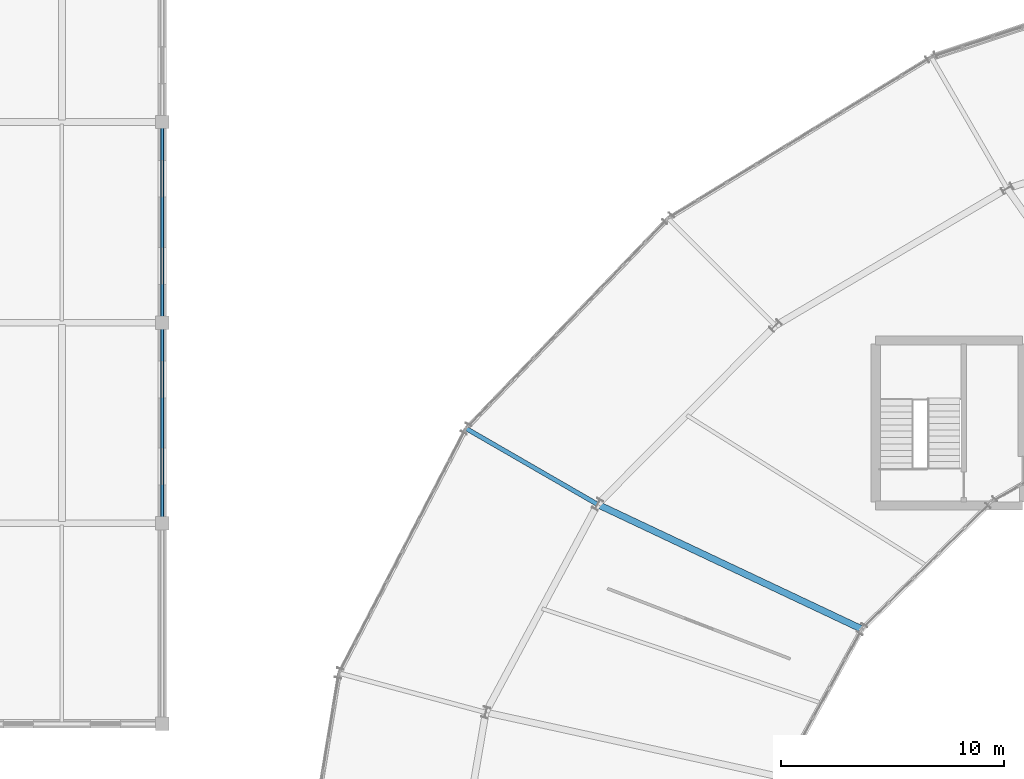
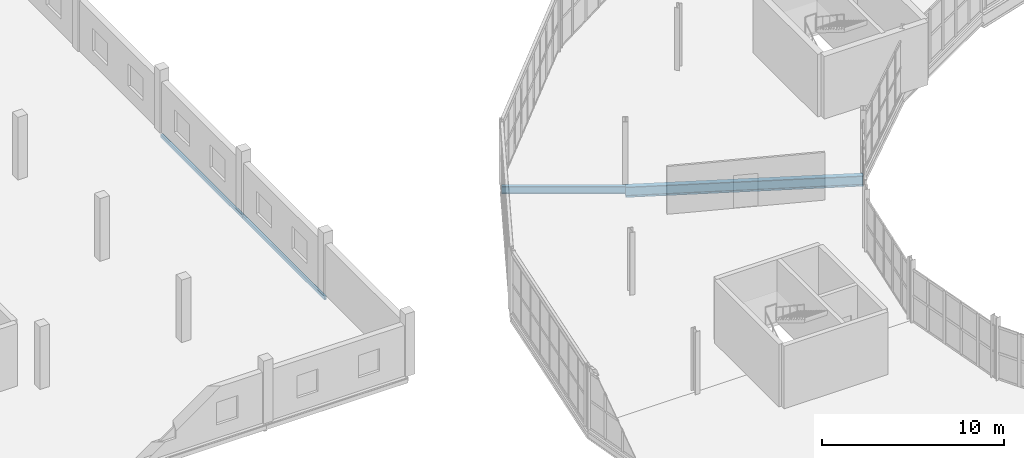
# One storey, part 58 of 161: 4 beams.
"""IFC4 building model written with IfcOpenShell, lengths in metres."""

import ifcopenshell
import ifcopenshell.guid

model = None  # the IFC model being written
_history = None  # IfcOwnerHistory: only IFC2X3 demands one
_inside = {}  # id of a spatial element -> (the spatial element, [elements in it])
_under = {}  # id of a project, library or spatial element -> (it, [spatial elements below it])
_declared = {}  # id of a project -> (the project, [libraries it declares])
_typed = {}  # id of a type object -> (the type object, [elements of that type])
_made_of = {}  # id of a material, layer set ... -> (it, [elements and type objects made of it])


def new_model(schema):
    """Start an empty IFC model of exactly this schema.

    Asked for "IFC4X3", IfcOpenShell would pick the latest addendum, in which some entities
    have other attributes; the version numbers below select the first issue.
    IFC2X3 requires an IfcOwnerHistory on every rooted entity: one is made here for all.
    """
    global model, _history
    if schema == "IFC4X3":
        model = ifcopenshell.file(schema_version=(4, 3, 0, 0))
    else:
        model = ifcopenshell.file(schema=schema)
    _inside.clear()
    _under.clear()
    _declared.clear()
    _typed.clear()
    _made_of.clear()
    _history = None
    if model.schema == "IFC2X3":
        org = make("IfcOrganization", Name="unknown")
        user = make(
            "IfcPersonAndOrganization",
            ThePerson=make("IfcPerson", FamilyName="unknown"),
            TheOrganization=org,
        )
        app = make(
            "IfcApplication",
            ApplicationDeveloper=org,
            Version="unknown",
            ApplicationFullName="unknown",
            ApplicationIdentifier="unknown",
        )
        _history = make(
            "IfcOwnerHistory",
            OwningUser=user,
            OwningApplication=app,
            ChangeAction="ADDED",
            CreationDate=0,
        )
    return model


def make(cls, **values):
    """One entity of the class cls with the attributes given. An attribute that is None is left unset."""
    return model.create_entity(
        cls, **{name: value for name, value in values.items() if value is not None}
    )


def rooted(cls, **values):
    """An entity with a GlobalId (a new one), such as an element, a storey or a relation."""
    return make(cls, GlobalId=ifcopenshell.guid.new(), OwnerHistory=_history, **values)


def si_unit(unit_type, name, prefix=None):
    """IfcSIUnit, for example si_unit("LENGTHUNIT", "METRE", prefix="MILLI")."""
    return make("IfcSIUnit", UnitType=unit_type, Prefix=prefix, Name=name)


def assignment(units):
    """IfcUnitAssignment: the units of a project."""
    return None if units is None else make("IfcUnitAssignment", Units=units)


def point(xyz):
    """IfcCartesianPoint."""
    return None if xyz is None else make("IfcCartesianPoint", Coordinates=xyz)


def direction(xyz):
    """IfcDirection."""
    return None if xyz is None else make("IfcDirection", DirectionRatios=xyz)


def frame(location, z_axis=None, x_axis=None):
    """IfcAxis2Placement3D, a coordinate frame: its origin and axes. An axis left out is left unset."""
    return make(
        "IfcAxis2Placement3D",
        Location=point(location),
        Axis=direction(z_axis),
        RefDirection=direction(x_axis),
    )


def frame_2d(location, x_axis=None):
    """IfcAxis2Placement2D, a coordinate frame in the plane: its origin and x axis."""
    return make(
        "IfcAxis2Placement2D", Location=point(location), RefDirection=direction(x_axis)
    )


def origin():
    """The frame at (0, 0, 0) with its axes left unset."""
    return frame((0.0, 0.0, 0.0))


def origin_2d():
    """The frame at (0, 0) in the plane with its x axis left unset."""
    return frame_2d((0.0, 0.0))


def place(relative_to, where):
    """IfcLocalPlacement: puts the frame where relative to a parent placement (None: the world)."""
    return make(
        "IfcLocalPlacement", PlacementRelTo=relative_to, RelativePlacement=where
    )


def context(
    kind, dimensions, precision=None, world=None, true_north=None, identifier=None
):
    """IfcGeometricRepresentationContext, for example the 3D "Model" context."""
    return make(
        "IfcGeometricRepresentationContext",
        ContextIdentifier=identifier,
        ContextType=kind,
        CoordinateSpaceDimension=dimensions,
        Precision=precision,
        WorldCoordinateSystem=world,
        TrueNorth=true_north,
    )


def subcontext(parent, identifier, kind, view, scale=None):
    """IfcGeometricRepresentationSubContext, for example "Body" below "Model"."""
    return make(
        "IfcGeometricRepresentationSubContext",
        ContextIdentifier=identifier,
        ContextType=kind,
        ParentContext=parent,
        TargetScale=scale,
        TargetView=view,
    )


def project(units=None, contexts=None):
    """IfcProject with its units and contexts."""
    return rooted(
        "IfcProject",
        Name="project",
        RepresentationContexts=contexts,
        UnitsInContext=assignment(units),
    )


def spatial(cls, under=None, at=None, **own):
    """A site, building, storey or space (cls), placed at a placement, below another one or the project."""
    s = rooted(cls, ObjectPlacement=at, **own)
    if under is not None:
        _under.setdefault(under.id(), (under, []))[1].append(s)
    return s


def profile(cls, at=None, kind="AREA", **sizes):
    """A parametric profile (cls). Its sizes go by their IFC names, for example OverallWidth=200.0."""
    return make(cls, ProfileType=kind, Position=at, **sizes)


def hollow_rectangle(**sizes):
    """IfcRectangleHollowProfileDef."""
    return profile("IfcRectangleHollowProfileDef", **sizes)


def i_section(**sizes):
    """IfcIShapeProfileDef."""
    return profile("IfcIShapeProfileDef", **sizes)


def extrude(swept, where, along, depth):
    """IfcExtrudedAreaSolid: the profile swept, set in the frame where, extruded along a direction by depth."""
    return make(
        "IfcExtrudedAreaSolid",
        SweptArea=swept,
        Position=where,
        ExtrudedDirection=direction(along),
        Depth=depth,
    )


def shape(context_of_items, identifier, shape_type, items):
    """IfcShapeRepresentation: the items that make up one representation, for example the "Body"."""
    return make(
        "IfcShapeRepresentation",
        ContextOfItems=context_of_items,
        RepresentationIdentifier=identifier,
        RepresentationType=shape_type,
        Items=items,
    )


def material(Name=None, Category=None):
    """IfcMaterial."""
    return make("IfcMaterial", Name=Name, Category=Category)


def material_profile(
    of_material, cross_section, Name=None, Category=None, Priority=None
):
    """IfcMaterialProfile: a cross section and its material."""
    return make(
        "IfcMaterialProfile",
        Name=Name,
        Material=of_material,
        Profile=cross_section,
        Priority=Priority,
        Category=Category,
    )


def profile_set(profiles, Name=None, composite=None):
    """IfcMaterialProfileSet."""
    return make(
        "IfcMaterialProfileSet",
        Name=Name,
        MaterialProfiles=profiles,
        CompositeProfile=composite,
    )


def made_of(thing, what):
    """Note that an element or type object is made of a material, layer set ...; save() writes the relation."""
    if what is not None:
        _made_of.setdefault(what.id(), (what, []))[1].append(thing)
    return thing


def type_object(cls, material=None, **own):
    """A type object (cls), such as IfcWallType, which elements share."""
    return made_of(rooted(cls, **own), material)


def element(
    cls,
    number,
    at=None,
    inside=None,
    cuts=None,
    type_object=None,
    material=None,
    context=None,
    identifier="Body",
    shape_type=None,
    held_by="IfcProductDefinitionShape",
    body=None,
    shapes=None,
    **own,
):
    """One element of the class cls, such as IfcWall. Its Tag is "e" and its number.

    at: its placement. inside: the storey or other place that contains it. cuts: it is an
    opening in that element (IfcRelVoidsElement). A single representation is given by context,
    identifier, shape_type and body (its items); several are given by shapes. held_by: the class
    of the entity that holds the representations. save() writes the other relations.
    """
    e = rooted(cls, Tag="e%d" % number, ObjectPlacement=at, **own)
    if body is not None:
        shapes = [shape(context, identifier, shape_type, body)]
    if shapes is not None:
        e.Representation = make(held_by, Representations=shapes)
    if inside is not None:
        _inside.setdefault(inside.id(), (inside, []))[1].append(e)
    if cuts is not None:
        rooted(
            "IfcRelVoidsElement", RelatingBuildingElement=cuts, RelatedOpeningElement=e
        )
    if type_object is not None:
        _typed.setdefault(type_object.id(), (type_object, []))[1].append(e)
    return made_of(e, material)


def aggregate(whole, parts):
    """IfcRelAggregates: a whole, such as a stair, and the parts it consists of."""
    return rooted("IfcRelAggregates", RelatingObject=whole, RelatedObjects=parts)


def save(model, path):
    """Write the relations noted so far, then the file.

    IfcRelAggregates (storeys below a building ...), IfcRelContainedInSpatialStructure (elements
    in a storey), IfcRelDefinesByType, IfcRelAssociatesMaterial and IfcRelDeclares: one each for
    every whole, place, type object, material and project.
    """
    for whole, parts in _under.values():
        aggregate(whole, parts)
    for where, things in _inside.values():
        rooted(
            "IfcRelContainedInSpatialStructure",
            RelatedElements=things,
            RelatingStructure=where,
        )
    for kind, things in _typed.values():
        rooted("IfcRelDefinesByType", RelatedObjects=things, RelatingType=kind)
    for what, things in _made_of.values():
        rooted("IfcRelAssociatesMaterial", RelatedObjects=things, RelatingMaterial=what)
    for by, libraries in _declared.values():
        rooted("IfcRelDeclares", RelatingContext=by, RelatedDefinitions=libraries)
    model.write(path)


model = new_model("IFC4")

# Units and contexts
model_context = context("Model", 3, precision=1e-05, world=origin(), true_north=direction((0.0, 1.0)))
body_context = subcontext(model_context, "Body", "Model", "MODEL_VIEW")
ifc_project = project(units=[si_unit("LENGTHUNIT", "METRE"), si_unit("AREAUNIT", "SQUARE_METRE"), si_unit("VOLUMEUNIT", "CUBIC_METRE"), si_unit("PLANEANGLEUNIT", "RADIAN"), si_unit("MASSUNIT", "GRAM", prefix="KILO")], contexts=[model_context])

# Site, building, storey
site_placement = place(None, origin())
site = spatial("IfcSite", under=ifc_project, at=site_placement, CompositionType="ELEMENT")
building_placement = place(site_placement, origin())
building = spatial("IfcBuilding", under=site, at=building_placement, Name="Kildeholm Park Wholesale Market", CompositionType="ELEMENT")
storey_placement = place(building_placement, frame((0.0, 0.0, 5.39990234375)))
storey = spatial("IfcBuildingStorey", under=building, at=storey_placement, Name="L01", CompositionType="ELEMENT", Elevation=5.39990234375)

# Beams
ifc_material = material(Name="Steel S355", Category="steel")
ifc_material_profile_1 = material_profile(ifc_material, i_section(OverallWidth=0.300048828125, OverallDepth=0.699951171875, WebThickness=0.01708984375, FlangeThickness=0.031982421875, FilletRadius=0.027099609375, at=origin_2d()), Name="HEB 700")
ifc_profile_set_1 = profile_set([ifc_material_profile_1], Name="Steel S355")
beam_type_1 = type_object("IfcBeamType", Name="Beam B-G01 HEB 700", PredefinedType="BEAM", material=ifc_profile_set_1)
beam_1_placement = place(storey_placement, frame((67.389892578125, 103.25, -0.599853515625), z_axis=(-0.904317894242, 0.426859632846, 0.0), x_axis=(-0.426859632846, -0.904317894242, 0.0)))
element("IfcBeam", 1, at=beam_1_placement, inside=storey, type_object=beam_type_1, Name="Beam BM-V1-L01-R1-10 BM-0090", PredefinedType="BEAM", context=body_context, shape_type="SweptSolid", body=[
    extrude(i_section(OverallWidth=0.300048828125, OverallDepth=0.699951171875, WebThickness=0.01708984375, FlangeThickness=0.031982421875, FilletRadius=0.027099609375, at=origin_2d()), origin(), (0.0, 0.0, 1.0), 13.119384765625),
])
ifc_material_profile_2 = material_profile(ifc_material, i_section(OverallWidth=0.199951171875, OverallDepth=0.5, WebThickness=0.01025390625, FlangeThickness=0.01611328125, FilletRadius=0.02099609375, at=origin_2d()), Name="IPE 500")
ifc_profile_set_2 = profile_set([ifc_material_profile_2], Name="Steel S355")
beam_type_2 = type_object("IfcBeamType", Name="Beam B-P03 IPE 500", PredefinedType="BEAM", material=ifc_profile_set_2)
beam_2_placement = place(storey_placement, frame((55.52587890625, 108.85009765625, -0.5), z_axis=(-0.866029536736, 0.499992841449, 0.0), x_axis=(-0.499992841449, -0.866029536736, 0.0)))
element("IfcBeam", 2, at=beam_2_placement, inside=storey, type_object=beam_type_2, Name="Beam BM-V1-L01-R2-10 BM-0092", PredefinedType="BEAM", context=body_context, shape_type="SweptSolid", body=[
    extrude(i_section(OverallWidth=0.199951171875, OverallDepth=0.5, WebThickness=0.01025390625, FlangeThickness=0.01611328125, FilletRadius=0.02099609375, at=origin_2d()), origin(), (0.0, 0.0, 1.0), 6.7998046875),
])
ifc_material_profile_3 = material_profile(ifc_material, hollow_rectangle(XDim=0.14990234375, YDim=0.25, WallThickness=0.010009765625, InnerFilletRadius=0.010009765625, OuterFilletRadius=0.02001953125, at=origin_2d()), Name="RHS 250x150x10")
ifc_profile_set_3 = profile_set([ifc_material_profile_3], Name="Steel S355")
beam_type_3 = type_object("IfcBeamType", Name="Beam SP-02 RHS 250x150x10", PredefinedType="SPANDREL", material=ifc_profile_set_3)
for number, where, z_axis, x_axis, name in (
    (3, (36.0, 108.0, -0.44482421875), (0.0, 1.0, 0.0), (-1.0, 0.0, 0.0), "Beam BM-V4-L01-Y-036-108 BM-0781"),
    (4, (36.0, 117.0, -0.44482421875), (0.0, 1.0, 0.0), (-1.0, 0.0, 0.0), "Beam BM-V4-L01-Y-036-117 BM-0782"),
):
    element("IfcBeam", number, at=place(storey_placement, frame(where, z_axis=z_axis, x_axis=x_axis)), inside=storey, type_object=beam_type_3, Name=name, PredefinedType="SPANDREL", context=body_context, shape_type="SweptSolid", body=[
        extrude(hollow_rectangle(XDim=0.14990234375, YDim=0.25, WallThickness=0.010009765625, InnerFilletRadius=0.010009765625, OuterFilletRadius=0.02001953125, at=origin_2d()), origin(), (0.0, 0.0, 1.0), 9.0),
    ])

save(model, "model.ifc")
